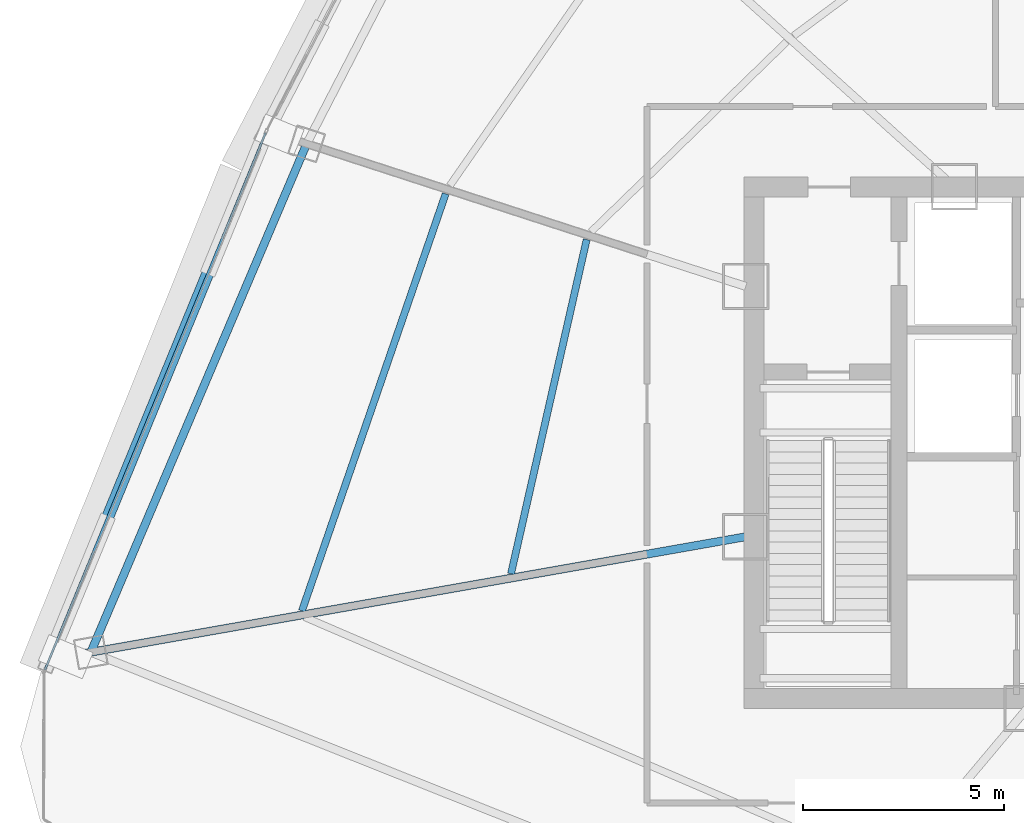
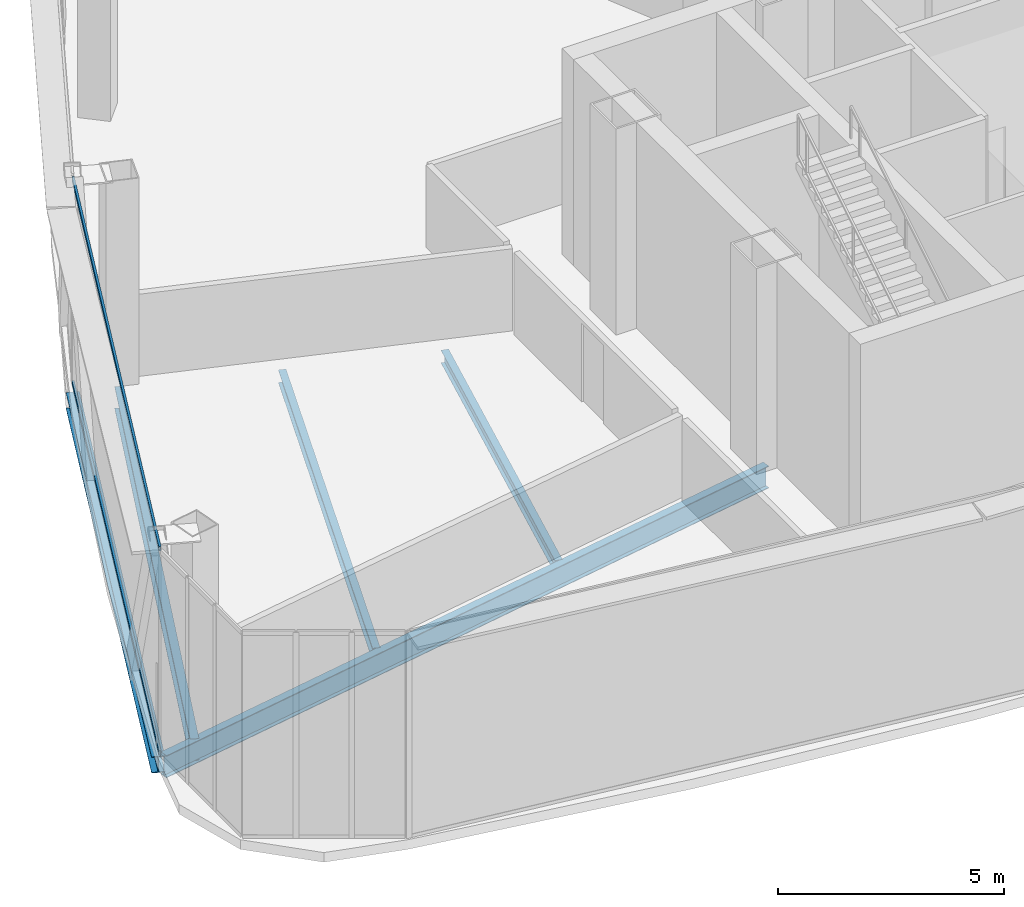
# One storey, part 5 of 33: 5 beams, 2 members, 1 element without a shape of its own.
"""IFC4 building model written with IfcOpenShell, lengths in metres."""

from ifc_helpers import new_model, si_unit, direction, frame, origin, origin_2d, place, context, subcontext, project, spatial, hollow_rectangle, i_section, extrude, source, transform, mapped, material, layer, layer_set, material_profile, profile_set, type_object, element, aggregate, save


model = new_model("IFC4")

# Units and contexts
model_context = context("Model", 3, precision=1e-05, world=origin(), true_north=direction((0.0, 1.0)))
body_context = subcontext(model_context, "Body", "Model", "MODEL_VIEW")
ifc_project = project(units=[si_unit("LENGTHUNIT", "METRE"), si_unit("AREAUNIT", "SQUARE_METRE"), si_unit("VOLUMEUNIT", "CUBIC_METRE"), si_unit("PLANEANGLEUNIT", "RADIAN"), si_unit("MASSUNIT", "GRAM", prefix="KILO"), si_unit("THERMODYNAMICTEMPERATUREUNIT", "KELVIN"), si_unit("POWERUNIT", "WATT")], contexts=[model_context])

# Site, building, storey
site_placement = place(None, origin())
site = spatial("IfcSite", under=ifc_project, at=site_placement, CompositionType="ELEMENT")
building_placement = place(site_placement, origin())
building = spatial("IfcBuilding", under=site, at=building_placement, Name="Yunzhuo Pagoda Commons", CompositionType="ELEMENT")
storey_placement = place(building_placement, frame((0.0, 0.0, 314.860107421875)))
storey = spatial("IfcBuildingStorey", under=building, at=storey_placement, Name="L79", CompositionType="ELEMENT", Elevation=314.860107421875)

# Beams
ifc_material_1 = material(Name="Structural steel Q355B", Category="steel")
ifc_material_profile_1 = material_profile(ifc_material_1, i_section(OverallWidth=0.199951171875, OverallDepth=0.60009765625, WebThickness=0.010986328125, FlangeThickness=0.01708984375, at=origin_2d()), Name="Structural steel Q355B")
ifc_profile_set_1 = profile_set([ifc_material_profile_1], Name="Structural steel Q355B")
beam_type_1 = type_object("IfcBeamType", Name="B-RG3 Beam HN 600x200x11x17", PredefinedType="BEAM", material=ifc_profile_set_1)
shared_shape_1 = source(origin(), body_context, "Body", "SweptSolid", [
    extrude(i_section(OverallWidth=0.199951171875, OverallDepth=0.60009765625, WebThickness=0.010986328125, FlangeThickness=0.01708984375, at=origin_2d()), origin(), (0.0, 0.0, 1.0), 13.715576171875),
])
beam_1_placement = place(storey_placement, frame((24.697509765625, 41.271484375, -0.56005859375), z_axis=(-0.390733146992, -0.920503996646, 0.0), x_axis=(0.920503996646, -0.390733146992, 0.0)))
element("IfcBeam", 1, at=beam_1_placement, inside=storey, type_object=beam_type_1, Name="L79 column-ring beam 11", PredefinedType="BEAM", context=body_context, shape_type="MappedRepresentation", body=[
    mapped(shared_shape_1, transform((0.0, 0.0, 0.0), scale=1.0)),
])
ifc_material_profile_2 = material_profile(ifc_material_1, i_section(OverallWidth=0.175048828125, OverallDepth=0.35009765625, WebThickness=0.007080078125, FlangeThickness=0.010986328125, at=origin_2d()), Name="Structural steel Q355B")
ifc_profile_set_2 = profile_set([ifc_material_profile_2], Name="Structural steel Q355B")
beam_type_2 = type_object("IfcBeamType", Name="B-JS2 Joist HN 350x175x7x11", PredefinedType="JOIST", material=ifc_profile_set_2)
shared_shape_2 = source(origin(), body_context, "Body", "SweptSolid", [
    extrude(i_section(OverallWidth=0.175048828125, OverallDepth=0.35009765625, WebThickness=0.007080078125, FlangeThickness=0.010986328125, at=origin_2d()), origin(), (0.0, 0.0, 1.0), 8.508544921875),
])
beam_2_placement = place(storey_placement, frame((31.649658203125, 38.89208984375, -0.43505859375), z_axis=(-0.220769003385, -0.975326123481, 0.0), x_axis=(0.975326123481, -0.220769003385, 0.0)))
element("IfcBeam", 2, at=beam_2_placement, inside=storey, type_object=beam_type_2, Name="L79 composite ring joist 1.11", PredefinedType="JOIST", context=body_context, shape_type="MappedRepresentation", body=[
    mapped(shared_shape_2, transform((0.0, 0.0, 0.0), scale=1.0)),
])
shared_shape_3 = source(origin(), body_context, "Body", "SweptSolid", [
    extrude(i_section(OverallWidth=0.175048828125, OverallDepth=0.35009765625, WebThickness=0.007080078125, FlangeThickness=0.010986328125, at=origin_2d()), origin(), (0.0, 0.0, 1.0), 10.954345703125),
])
beam_3_placement = place(storey_placement, frame((28.14892578125, 40.029052734375, -0.43505859375), z_axis=(-0.325839571137, -0.945425075763, 0.0), x_axis=(0.945425075763, -0.325839571137, 0.0)))
element("IfcBeam", 3, at=beam_3_placement, inside=storey, type_object=beam_type_2, Name="L79 composite ring joist 2.11", PredefinedType="JOIST", context=body_context, shape_type="MappedRepresentation", body=[
    mapped(shared_shape_3, transform((0.0, 0.0, 0.0), scale=1.0)),
])
shared_shape_4 = source(origin(), body_context, "Body", "SweptSolid", [
    extrude(i_section(OverallWidth=0.199951171875, OverallDepth=0.60009765625, WebThickness=0.010986328125, FlangeThickness=0.01708984375, at=origin_2d()), origin(), (0.0, 0.0, 1.0), 17.40771484375),
])
beam_4_placement = place(storey_placement, frame((18.456787109375, 28.49072265625, -0.56005859375), z_axis=(0.984808962394, 0.17364131878, 0.0), x_axis=(-0.17364131878, 0.984808962394, 0.0)))
element("IfcBeam", 4, at=beam_4_placement, inside=storey, type_object=beam_type_1, Name="L79 radial floor girder F3C4", PredefinedType="BEAM", context=body_context, shape_type="MappedRepresentation", body=[
    mapped(shared_shape_4, transform((0.0, 0.0, 0.0), scale=1.0)),
])
ifc_material_profile_3 = material_profile(ifc_material_1, i_section(OverallWidth=0.300048828125, OverallDepth=0.43994140625, WebThickness=0.010986328125, FlangeThickness=0.01806640625, at=origin_2d()), Name="Structural steel Q355B")
ifc_profile_set_3 = profile_set([ifc_material_profile_3], Name="Structural steel Q355B")
beam_type_3 = type_object("IfcBeamType", Name="B-SP2 Beam HM 440x300x11x18", PredefinedType="BEAM", material=ifc_profile_set_3)
shared_shape_5 = source(origin(), body_context, "Body", "SweptSolid", [
    extrude(i_section(OverallWidth=0.300048828125, OverallDepth=0.43994140625, WebThickness=0.010986328125, FlangeThickness=0.01806640625, at=origin_2d()), origin(), (0.0, 0.0, 1.0), 14.197021484375),
])
beam_5_placement = place(storey_placement, frame((23.698974609375, 41.595947265625, -0.480224609375), z_axis=(-0.379993738973, -0.924989058498, 0.0), x_axis=(0.924989058498, -0.379993738973, 0.0)))
element("IfcBeam", 5, at=beam_5_placement, inside=storey, type_object=beam_type_3, Name="L79 facade edge spandrel beam F3.3", PredefinedType="BEAM", context=body_context, shape_type="MappedRepresentation", body=[
    mapped(shared_shape_5, transform((0.0, 0.0, 0.0), scale=1.0)),
])

# Curtain wall, members
ifc_material_2 = material(Name="Anodized aluminium 6063-T6", Category="aluminium")
ifc_layer = layer(ifc_material_2, 0.139892578125)
ifc_layer_set = layer_set([ifc_layer], Name="Anodized aluminium 6063-T6")
curtain_wall_type = type_object("IfcCurtainWallType", Name="CW-HI High-Zone Ribbon Curtain Wall", PredefinedType="NOTDEFINED", material=ifc_layer_set)
curtain_wall_placement = place(storey_placement, origin())
curtain_wall = element("IfcCurtainWall", 6, at=curtain_wall_placement, inside=storey, type_object=curtain_wall_type, Name="L79 curtain wall CW-L79-F3B4", PredefinedType="NOTDEFINED")
ifc_material_profile_4 = material_profile(ifc_material_2, hollow_rectangle(XDim=0.054931640625, YDim=0.1201171875, WallThickness=0.00341796875, at=origin_2d()), Name="Anodized aluminium 6063-T6")
ifc_profile_set_4 = profile_set([ifc_material_profile_4], Name="Anodized aluminium 6063-T6")
member_type = type_object("IfcMemberType", Name="CW-HI-T Transom RHS 120x55x3.5", PredefinedType="USERDEFINED", material=ifc_profile_set_4)
shared_shape_6 = source(origin(), body_context, "Body", "SweptSolid", [
    extrude(hollow_rectangle(XDim=0.054931640625, YDim=0.1201171875, WallThickness=0.00341796875, at=origin_2d()), origin(), (0.0, 0.0, 1.0), 14.413818359375),
])
member_1_placement = place(storey_placement, frame((23.676513671875, 41.540283203125, 0.02734375), z_axis=(-0.380053688026, -0.924964428623, 0.0), x_axis=(0.924964428623, -0.380053688026, 0.0)))
member_1 = element("IfcMember", 7, at=member_1_placement, type_object=member_type, Name="CW transom 1.1", ObjectType="TRANSOM", PredefinedType="USERDEFINED", context=body_context, shape_type="MappedRepresentation", body=[
    mapped(shared_shape_6, transform((0.0, 0.0, 0.0), scale=1.0)),
])
member_2_placement = place(storey_placement, frame((23.676513671875, 41.540283203125, 5.54248046875), z_axis=(-0.380053688026, -0.924964428623, 0.0), x_axis=(0.924964428623, -0.380053688026, 0.0)))
member_2 = element("IfcMember", 8, at=member_2_placement, type_object=member_type, Name="CW transom 1.2", ObjectType="TRANSOM", PredefinedType="USERDEFINED", context=body_context, shape_type="MappedRepresentation", body=[
    mapped(shared_shape_6, transform((0.0, 0.0, 0.0), scale=1.0)),
])
aggregate(curtain_wall, [member_1, member_2])

save(model, "model.ifc")
